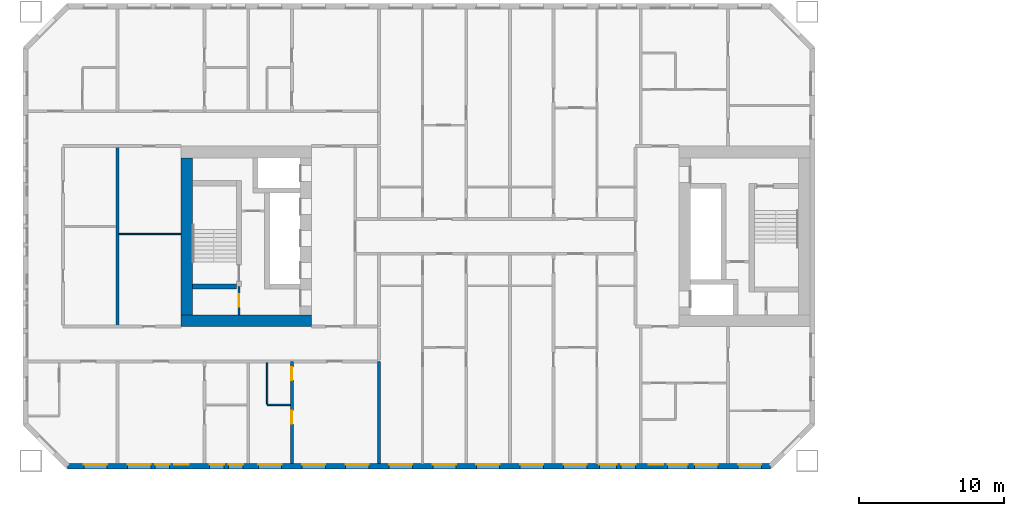
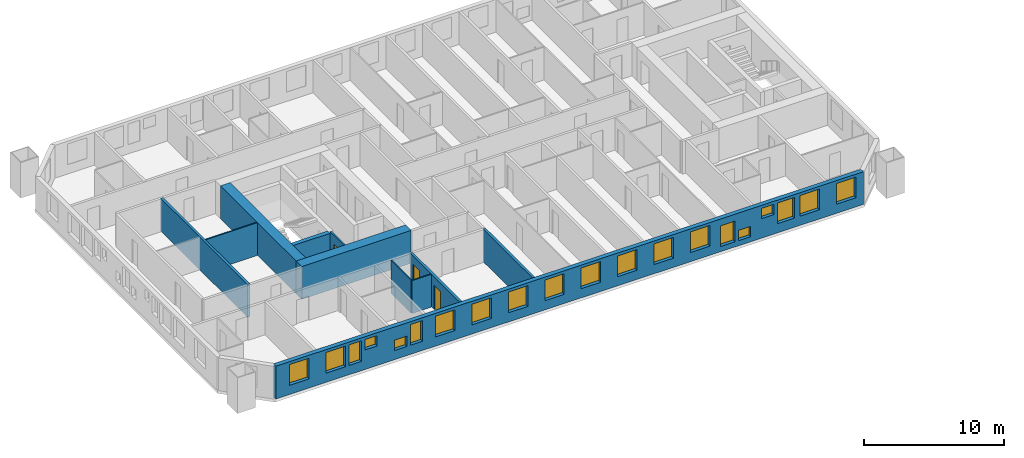
# One storey, part 3 of 17: 20 windows, 11 walls, 3 doors, 23 openings.
"""IFC4 building model written with IfcOpenShell, lengths in metres."""

import ifcopenshell
import ifcopenshell.guid

model = None  # the IFC model being written
_history = None  # IfcOwnerHistory: only IFC2X3 demands one
_inside = {}  # id of a spatial element -> (the spatial element, [elements in it])
_under = {}  # id of a project, library or spatial element -> (it, [spatial elements below it])
_declared = {}  # id of a project -> (the project, [libraries it declares])
_typed = {}  # id of a type object -> (the type object, [elements of that type])
_made_of = {}  # id of a material, layer set ... -> (it, [elements and type objects made of it])


def new_model(schema):
    """Start an empty IFC model of exactly this schema.

    Asked for "IFC4X3", IfcOpenShell would pick the latest addendum, in which some entities
    have other attributes; the version numbers below select the first issue.
    IFC2X3 requires an IfcOwnerHistory on every rooted entity: one is made here for all.
    """
    global model, _history
    if schema == "IFC4X3":
        model = ifcopenshell.file(schema_version=(4, 3, 0, 0))
    else:
        model = ifcopenshell.file(schema=schema)
    _inside.clear()
    _under.clear()
    _declared.clear()
    _typed.clear()
    _made_of.clear()
    _history = None
    if model.schema == "IFC2X3":
        org = make("IfcOrganization", Name="unknown")
        user = make(
            "IfcPersonAndOrganization",
            ThePerson=make("IfcPerson", FamilyName="unknown"),
            TheOrganization=org,
        )
        app = make(
            "IfcApplication",
            ApplicationDeveloper=org,
            Version="unknown",
            ApplicationFullName="unknown",
            ApplicationIdentifier="unknown",
        )
        _history = make(
            "IfcOwnerHistory",
            OwningUser=user,
            OwningApplication=app,
            ChangeAction="ADDED",
            CreationDate=0,
        )
    return model


def make(cls, **values):
    """One entity of the class cls with the attributes given. An attribute that is None is left unset."""
    return model.create_entity(
        cls, **{name: value for name, value in values.items() if value is not None}
    )


def rooted(cls, **values):
    """An entity with a GlobalId (a new one), such as an element, a storey or a relation."""
    return make(cls, GlobalId=ifcopenshell.guid.new(), OwnerHistory=_history, **values)


def si_unit(unit_type, name, prefix=None):
    """IfcSIUnit, for example si_unit("LENGTHUNIT", "METRE", prefix="MILLI")."""
    return make("IfcSIUnit", UnitType=unit_type, Prefix=prefix, Name=name)


def assignment(units):
    """IfcUnitAssignment: the units of a project."""
    return None if units is None else make("IfcUnitAssignment", Units=units)


def point(xyz):
    """IfcCartesianPoint."""
    return None if xyz is None else make("IfcCartesianPoint", Coordinates=xyz)


def direction(xyz):
    """IfcDirection."""
    return None if xyz is None else make("IfcDirection", DirectionRatios=xyz)


def frame(location, z_axis=None, x_axis=None):
    """IfcAxis2Placement3D, a coordinate frame: its origin and axes. An axis left out is left unset."""
    return make(
        "IfcAxis2Placement3D",
        Location=point(location),
        Axis=direction(z_axis),
        RefDirection=direction(x_axis),
    )


def frame_2d(location, x_axis=None):
    """IfcAxis2Placement2D, a coordinate frame in the plane: its origin and x axis."""
    return make(
        "IfcAxis2Placement2D", Location=point(location), RefDirection=direction(x_axis)
    )


def origin():
    """The frame at (0, 0, 0) with its axes left unset."""
    return frame((0.0, 0.0, 0.0))


def place(relative_to, where):
    """IfcLocalPlacement: puts the frame where relative to a parent placement (None: the world)."""
    return make(
        "IfcLocalPlacement", PlacementRelTo=relative_to, RelativePlacement=where
    )


def context(
    kind, dimensions, precision=None, world=None, true_north=None, identifier=None
):
    """IfcGeometricRepresentationContext, for example the 3D "Model" context."""
    return make(
        "IfcGeometricRepresentationContext",
        ContextIdentifier=identifier,
        ContextType=kind,
        CoordinateSpaceDimension=dimensions,
        Precision=precision,
        WorldCoordinateSystem=world,
        TrueNorth=true_north,
    )


def subcontext(parent, identifier, kind, view, scale=None):
    """IfcGeometricRepresentationSubContext, for example "Body" below "Model"."""
    return make(
        "IfcGeometricRepresentationSubContext",
        ContextIdentifier=identifier,
        ContextType=kind,
        ParentContext=parent,
        TargetScale=scale,
        TargetView=view,
    )


def project(units=None, contexts=None):
    """IfcProject with its units and contexts."""
    return rooted(
        "IfcProject",
        Name="project",
        RepresentationContexts=contexts,
        UnitsInContext=assignment(units),
    )


def spatial(cls, under=None, at=None, **own):
    """A site, building, storey or space (cls), placed at a placement, below another one or the project."""
    s = rooted(cls, ObjectPlacement=at, **own)
    if under is not None:
        _under.setdefault(under.id(), (under, []))[1].append(s)
    return s


def profile(cls, at=None, kind="AREA", **sizes):
    """A parametric profile (cls). Its sizes go by their IFC names, for example OverallWidth=200.0."""
    return make(cls, ProfileType=kind, Position=at, **sizes)


def rectangle(**sizes):
    """IfcRectangleProfileDef."""
    return profile("IfcRectangleProfileDef", **sizes)


def extrude(swept, where, along, depth):
    """IfcExtrudedAreaSolid: the profile swept, set in the frame where, extruded along a direction by depth."""
    return make(
        "IfcExtrudedAreaSolid",
        SweptArea=swept,
        Position=where,
        ExtrudedDirection=direction(along),
        Depth=depth,
    )


def shape(context_of_items, identifier, shape_type, items):
    """IfcShapeRepresentation: the items that make up one representation, for example the "Body"."""
    return make(
        "IfcShapeRepresentation",
        ContextOfItems=context_of_items,
        RepresentationIdentifier=identifier,
        RepresentationType=shape_type,
        Items=items,
    )


def material(Name=None, Category=None):
    """IfcMaterial."""
    return make("IfcMaterial", Name=Name, Category=Category)


def layer(
    of_material, thickness, ventilated=None, Name=None, Category=None, Priority=None
):
    """IfcMaterialLayer: one layer of a wall or slab, of a material (None: an air gap)."""
    return make(
        "IfcMaterialLayer",
        Material=of_material,
        LayerThickness=thickness,
        IsVentilated=ventilated,
        Name=Name,
        Category=Category,
        Priority=Priority,
    )


def layer_set(layers, Name=None):
    """IfcMaterialLayerSet."""
    return make("IfcMaterialLayerSet", MaterialLayers=layers, LayerSetName=Name)


def made_of(thing, what):
    """Note that an element or type object is made of a material, layer set ...; save() writes the relation."""
    if what is not None:
        _made_of.setdefault(what.id(), (what, []))[1].append(thing)
    return thing


def type_object(cls, material=None, **own):
    """A type object (cls), such as IfcWallType, which elements share."""
    return made_of(rooted(cls, **own), material)


def element(
    cls,
    number,
    at=None,
    inside=None,
    cuts=None,
    type_object=None,
    material=None,
    context=None,
    identifier="Body",
    shape_type=None,
    held_by="IfcProductDefinitionShape",
    body=None,
    shapes=None,
    **own,
):
    """One element of the class cls, such as IfcWall. Its Tag is "e" and its number.

    at: its placement. inside: the storey or other place that contains it. cuts: it is an
    opening in that element (IfcRelVoidsElement). A single representation is given by context,
    identifier, shape_type and body (its items); several are given by shapes. held_by: the class
    of the entity that holds the representations. save() writes the other relations.
    """
    e = rooted(cls, Tag="e%d" % number, ObjectPlacement=at, **own)
    if body is not None:
        shapes = [shape(context, identifier, shape_type, body)]
    if shapes is not None:
        e.Representation = make(held_by, Representations=shapes)
    if inside is not None:
        _inside.setdefault(inside.id(), (inside, []))[1].append(e)
    if cuts is not None:
        rooted(
            "IfcRelVoidsElement", RelatingBuildingElement=cuts, RelatedOpeningElement=e
        )
    if type_object is not None:
        _typed.setdefault(type_object.id(), (type_object, []))[1].append(e)
    return made_of(e, material)


def fill(opening, filler):
    """IfcRelFillsElement: the door or window that sits in an opening."""
    return rooted(
        "IfcRelFillsElement",
        RelatingOpeningElement=opening,
        RelatedBuildingElement=filler,
    )


def aggregate(whole, parts):
    """IfcRelAggregates: a whole, such as a stair, and the parts it consists of."""
    return rooted("IfcRelAggregates", RelatingObject=whole, RelatedObjects=parts)


def save(model, path):
    """Write the relations noted so far, then the file.

    IfcRelAggregates (storeys below a building ...), IfcRelContainedInSpatialStructure (elements
    in a storey), IfcRelDefinesByType, IfcRelAssociatesMaterial and IfcRelDeclares: one each for
    every whole, place, type object, material and project.
    """
    for whole, parts in _under.values():
        aggregate(whole, parts)
    for where, things in _inside.values():
        rooted(
            "IfcRelContainedInSpatialStructure",
            RelatedElements=things,
            RelatingStructure=where,
        )
    for kind, things in _typed.values():
        rooted("IfcRelDefinesByType", RelatedObjects=things, RelatingType=kind)
    for what, things in _made_of.values():
        rooted("IfcRelAssociatesMaterial", RelatedObjects=things, RelatingMaterial=what)
    for by, libraries in _declared.values():
        rooted("IfcRelDeclares", RelatingContext=by, RelatedDefinitions=libraries)
    model.write(path)


model = new_model("IFC4")

# Units and contexts
model_context = context("Model", 3, precision=1e-05, world=origin(), true_north=direction((0.0, 1.0)))
body_context = subcontext(model_context, "Body", "Model", "MODEL_VIEW")
ifc_project = project(units=[si_unit("LENGTHUNIT", "METRE"), si_unit("AREAUNIT", "SQUARE_METRE"), si_unit("VOLUMEUNIT", "CUBIC_METRE"), si_unit("PLANEANGLEUNIT", "RADIAN"), si_unit("MASSUNIT", "GRAM", prefix="KILO")], contexts=[model_context])

# Site, building, storey
site_placement = place(None, origin())
site = spatial("IfcSite", under=ifc_project, at=site_placement, CompositionType="ELEMENT")
building_placement = place(site_placement, origin())
building = spatial("IfcBuilding", under=site, at=building_placement, Name="Tuart Gate Housing", CompositionType="ELEMENT")
storey_placement = place(building_placement, frame((0.0, 0.0, 50.5)))
storey = spatial("IfcBuildingStorey", under=building, at=storey_placement, Name="L13", CompositionType="ELEMENT", Elevation=50.5)

# Wall, openings, windows
ifc_material_1 = material(Name="Brick", Category="masonry")
ifc_layer_1 = layer(ifc_material_1, 0.360107421875)
ifc_layer_set_1 = layer_set([ifc_layer_1], Name="Brick pier and spandrel wall 360")
wall_type_1 = type_object("IfcWallType", Name="Brick pier and spandrel wall 360", PredefinedType="STANDARD", material=ifc_layer_set_1)
wall_1_placement = place(storey_placement, frame((24.57470703125, 54.179931640625, 0.0), z_axis=(0.0, 0.0, 1.0), x_axis=(1.0, 0.0, 0.0)))
wall_1 = element("IfcWall", 1, at=wall_1_placement, inside=storey, type_object=wall_type_1, Name="External wall A-S L13", PredefinedType="STANDARD", context=body_context, shape_type="SweptSolid", body=[
    extrude(rectangle(XDim=48.350830078125, YDim=0.360107421875, at=frame_2d((24.17529296875, 0.0))), origin(), (0.0, 0.0, 1.0), 2.85009765625),
])
opening_1_placement = place(wall_1_placement, frame((1.12548828125, 0.0, 0.800048828125)))
opening_1 = element("IfcOpeningElement", 2, at=opening_1_placement, cuts=wall_1, Name="Opening W1", PredefinedType="OPENING", context=body_context, shape_type="SweptSolid", body=[
    extrude(rectangle(XDim=1.60009765625, YDim=1.800048828125, at=frame_2d((0.800048828125, 0.89990234375))), frame((0.0, 0.18994140625, 0.0), z_axis=(0.0, -1.0, 0.0), x_axis=(1.0, 0.0, 0.0)), (0.0, 0.0, 1.0), 0.380126953125),
])
opening_2_placement = place(wall_1_placement, frame((4.12548828125, 0.0, 0.800048828125)))
opening_2 = element("IfcOpeningElement", 3, at=opening_2_placement, cuts=wall_1, Name="Opening W1", PredefinedType="OPENING", context=body_context, shape_type="SweptSolid", body=[
    extrude(rectangle(XDim=1.60009765625, YDim=1.800048828125, at=frame_2d((0.800048828125, 0.89990234375))), frame((0.0, 0.18994140625, 0.0), z_axis=(0.0, -1.0, 0.0), x_axis=(1.0, 0.0, 0.0)), (0.0, 0.0, 1.0), 0.380126953125),
])
opening_3_placement = place(wall_1_placement, frame((6.025390625, 0.0, 0.800048828125)))
opening_3 = element("IfcOpeningElement", 4, at=opening_3_placement, cuts=wall_1, Name="Opening W1C", PredefinedType="OPENING", context=body_context, shape_type="SweptSolid", body=[
    extrude(rectangle(XDim=1.0, YDim=1.800048828125, at=frame_2d((0.5, 0.89990234375))), frame((0.0, 0.18994140625, 0.0), z_axis=(0.0, -1.0, 0.0), x_axis=(1.0, 0.0, 0.0)), (0.0, 0.0, 1.0), 0.380126953125),
])
opening_4_placement = place(wall_1_placement, frame((9.775390625, 0.0, 0.800048828125)))
opening_4 = element("IfcOpeningElement", 5, at=opening_4_placement, cuts=wall_1, Name="Opening W1U", PredefinedType="OPENING", context=body_context, shape_type="SweptSolid", body=[
    extrude(rectangle(XDim=1.0, YDim=0.89990234375, at=frame_2d((0.5, 0.449951171875))), frame((0.0, 0.18994140625, 0.0), z_axis=(0.0, -1.0, 0.0), x_axis=(1.0, 0.0, 0.0)), (0.0, 0.0, 1.0), 0.380126953125),
])
opening_5_placement = place(wall_1_placement, frame((13.12548828125, 0.0, 0.800048828125)))
opening_5 = element("IfcOpeningElement", 6, at=opening_5_placement, cuts=wall_1, Name="Opening W1", PredefinedType="OPENING", context=body_context, shape_type="SweptSolid", body=[
    extrude(rectangle(XDim=1.60009765625, YDim=1.800048828125, at=frame_2d((0.800048828125, 0.89990234375))), frame((0.0, 0.18994140625, 0.0), z_axis=(0.0, -1.0, 0.0), x_axis=(1.0, 0.0, 0.0)), (0.0, 0.0, 1.0), 0.380126953125),
])
opening_6_placement = place(wall_1_placement, frame((16.12548828125, 0.0, 0.800048828125)))
opening_6 = element("IfcOpeningElement", 7, at=opening_6_placement, cuts=wall_1, Name="Opening W1", PredefinedType="OPENING", context=body_context, shape_type="SweptSolid", body=[
    extrude(rectangle(XDim=1.60009765625, YDim=1.800048828125, at=frame_2d((0.800048828125, 0.89990234375))), frame((0.0, 0.18994140625, 0.0), z_axis=(0.0, -1.0, 0.0), x_axis=(1.0, 0.0, 0.0)), (0.0, 0.0, 1.0), 0.380126953125),
])
opening_7_placement = place(wall_1_placement, frame((19.12548828125, 0.0, 0.800048828125)))
opening_7 = element("IfcOpeningElement", 8, at=opening_7_placement, cuts=wall_1, Name="Opening W1", PredefinedType="OPENING", context=body_context, shape_type="SweptSolid", body=[
    extrude(rectangle(XDim=1.60009765625, YDim=1.800048828125, at=frame_2d((0.800048828125, 0.89990234375))), frame((0.0, 0.18994140625, 0.0), z_axis=(0.0, -1.0, 0.0), x_axis=(1.0, 0.0, 0.0)), (0.0, 0.0, 1.0), 0.380126953125),
])
opening_8_placement = place(wall_1_placement, frame((22.12548828125, 0.0, 0.800048828125)))
opening_8 = element("IfcOpeningElement", 9, at=opening_8_placement, cuts=wall_1, Name="Opening W1", PredefinedType="OPENING", context=body_context, shape_type="SweptSolid", body=[
    extrude(rectangle(XDim=1.60009765625, YDim=1.800048828125, at=frame_2d((0.800048828125, 0.89990234375))), frame((0.0, 0.18994140625, 0.0), z_axis=(0.0, -1.0, 0.0), x_axis=(1.0, 0.0, 0.0)), (0.0, 0.0, 1.0), 0.380126953125),
])
opening_9_placement = place(wall_1_placement, frame((25.12548828125, 0.0, 0.800048828125)))
opening_9 = element("IfcOpeningElement", 10, at=opening_9_placement, cuts=wall_1, Name="Opening W1", PredefinedType="OPENING", context=body_context, shape_type="SweptSolid", body=[
    extrude(rectangle(XDim=1.60009765625, YDim=1.800048828125, at=frame_2d((0.800048828125, 0.89990234375))), frame((0.0, 0.18994140625, 0.0), z_axis=(0.0, -1.0, 0.0), x_axis=(1.0, 0.0, 0.0)), (0.0, 0.0, 1.0), 0.380126953125),
])
opening_10_placement = place(wall_1_placement, frame((28.12548828125, 0.0, 0.800048828125)))
opening_10 = element("IfcOpeningElement", 11, at=opening_10_placement, cuts=wall_1, Name="Opening W1", PredefinedType="OPENING", context=body_context, shape_type="SweptSolid", body=[
    extrude(rectangle(XDim=1.60009765625, YDim=1.800048828125, at=frame_2d((0.800048828125, 0.89990234375))), frame((0.0, 0.18994140625, 0.0), z_axis=(0.0, -1.0, 0.0), x_axis=(1.0, 0.0, 0.0)), (0.0, 0.0, 1.0), 0.380126953125),
])
opening_11_placement = place(wall_1_placement, frame((31.12548828125, 0.0, 0.800048828125)))
opening_11 = element("IfcOpeningElement", 12, at=opening_11_placement, cuts=wall_1, Name="Opening W1", PredefinedType="OPENING", context=body_context, shape_type="SweptSolid", body=[
    extrude(rectangle(XDim=1.60009765625, YDim=1.800048828125, at=frame_2d((0.800048828125, 0.89990234375))), frame((0.0, 0.18994140625, 0.0), z_axis=(0.0, -1.0, 0.0), x_axis=(1.0, 0.0, 0.0)), (0.0, 0.0, 1.0), 0.380126953125),
])
opening_12_placement = place(wall_1_placement, frame((34.12548828125, 0.0, 0.800048828125)))
opening_12 = element("IfcOpeningElement", 13, at=opening_12_placement, cuts=wall_1, Name="Opening W1", PredefinedType="OPENING", context=body_context, shape_type="SweptSolid", body=[
    extrude(rectangle(XDim=1.60009765625, YDim=1.800048828125, at=frame_2d((0.800048828125, 0.89990234375))), frame((0.0, 0.18994140625, 0.0), z_axis=(0.0, -1.0, 0.0), x_axis=(1.0, 0.0, 0.0)), (0.0, 0.0, 1.0), 0.380126953125),
])
opening_13_placement = place(wall_1_placement, frame((36.575439453125, 0.0, 0.449951171875)))
opening_13 = element("IfcOpeningElement", 14, at=opening_13_placement, cuts=wall_1, Name="Opening W1B", PredefinedType="OPENING", context=body_context, shape_type="SweptSolid", body=[
    extrude(rectangle(XDim=1.199951171875, YDim=1.800048828125, at=frame_2d((0.60009765625, 0.89990234375))), frame((0.0, 0.18994140625, 0.0), z_axis=(0.0, -1.0, 0.0), x_axis=(1.0, 0.0, 0.0)), (0.0, 0.0, 1.0), 0.380126953125),
])
opening_14_placement = place(wall_1_placement, frame((39.975341796875, 0.0, 1.699951171875)))
opening_14 = element("IfcOpeningElement", 15, at=opening_14_placement, cuts=wall_1, Name="Opening W1U", PredefinedType="OPENING", context=body_context, shape_type="SweptSolid", body=[
    extrude(rectangle(XDim=1.0, YDim=0.89990234375, at=frame_2d((0.5, 0.449951171875))), frame((0.0, 0.18994140625, 0.0), z_axis=(0.0, -1.0, 0.0), x_axis=(1.0, 0.0, 0.0)), (0.0, 0.0, 1.0), 0.380126953125),
])
opening_15_placement = place(wall_1_placement, frame((43.12548828125, 0.0, 0.800048828125)))
opening_15 = element("IfcOpeningElement", 16, at=opening_15_placement, cuts=wall_1, Name="Opening W1", PredefinedType="OPENING", context=body_context, shape_type="SweptSolid", body=[
    extrude(rectangle(XDim=1.60009765625, YDim=1.800048828125, at=frame_2d((0.800048828125, 0.89990234375))), frame((0.0, 0.18994140625, 0.0), z_axis=(0.0, -1.0, 0.0), x_axis=(1.0, 0.0, 0.0)), (0.0, 0.0, 1.0), 0.380126953125),
])
opening_16_placement = place(wall_1_placement, frame((46.12548828125, 0.0, 0.800048828125)))
opening_16 = element("IfcOpeningElement", 17, at=opening_16_placement, cuts=wall_1, Name="Opening W1", PredefinedType="OPENING", context=body_context, shape_type="SweptSolid", body=[
    extrude(rectangle(XDim=1.60009765625, YDim=1.800048828125, at=frame_2d((0.800048828125, 0.89990234375))), frame((0.0, 0.18994140625, 0.0), z_axis=(0.0, -1.0, 0.0), x_axis=(1.0, 0.0, 0.0)), (0.0, 0.0, 1.0), 0.380126953125),
])
opening_17_placement = place(wall_1_placement, frame((7.325439453125, 0.0, 1.699951171875)))
opening_17 = element("IfcOpeningElement", 18, at=opening_17_placement, cuts=wall_1, Name="Opening W1U", PredefinedType="OPENING", context=body_context, shape_type="SweptSolid", body=[
    extrude(rectangle(XDim=1.0, YDim=0.89990234375, at=frame_2d((0.5, 0.449951171875))), frame((0.0, 0.18994140625, 0.0), z_axis=(0.0, -1.0, 0.0), x_axis=(1.0, 0.0, 0.0)), (0.0, 0.0, 1.0), 0.380126953125),
])
opening_18_placement = place(wall_1_placement, frame((11.075439453125, 0.0, 0.800048828125)))
opening_18 = element("IfcOpeningElement", 19, at=opening_18_placement, cuts=wall_1, Name="Opening W1C", PredefinedType="OPENING", context=body_context, shape_type="SweptSolid", body=[
    extrude(rectangle(XDim=1.0, YDim=1.800048828125, at=frame_2d((0.5, 0.89990234375))), frame((0.0, 0.18994140625, 0.0), z_axis=(0.0, -1.0, 0.0), x_axis=(1.0, 0.0, 0.0)), (0.0, 0.0, 1.0), 0.380126953125),
])
opening_19_placement = place(wall_1_placement, frame((38.075439453125, 0.0, 0.449951171875)))
opening_19 = element("IfcOpeningElement", 20, at=opening_19_placement, cuts=wall_1, Name="Opening W1U", PredefinedType="OPENING", context=body_context, shape_type="SweptSolid", body=[
    extrude(rectangle(XDim=1.0, YDim=0.89990234375, at=frame_2d((0.5, 0.449951171875))), frame((0.0, 0.18994140625, 0.0), z_axis=(0.0, -1.0, 0.0), x_axis=(1.0, 0.0, 0.0)), (0.0, 0.0, 1.0), 0.380126953125),
])
opening_20_placement = place(wall_1_placement, frame((41.275390625, 0.0, 0.800048828125)))
opening_20 = element("IfcOpeningElement", 21, at=opening_20_placement, cuts=wall_1, Name="Opening W1A", PredefinedType="OPENING", context=body_context, shape_type="SweptSolid", body=[
    extrude(rectangle(XDim=1.39990234375, YDim=1.800048828125, at=frame_2d((0.699951171875, 0.89990234375))), frame((0.0, 0.18994140625, 0.0), z_axis=(0.0, -1.0, 0.0), x_axis=(1.0, 0.0, 0.0)), (0.0, 0.0, 1.0), 0.380126953125),
])
ifc_material_2 = material(Name="Aluminium frame with clear glass", Category="aluminium")
window_type_1 = type_object("IfcWindowType", Name="Punched window 1000 x 1800", PartitioningType="SINGLE_PANEL", PredefinedType="WINDOW", material=ifc_material_2)
window_1_placement = place(opening_3_placement, origin())
window_1 = element("IfcWindow", 22, at=window_1_placement, inside=storey, type_object=window_type_1, Name="Window W1C", OverallHeight=1.800048828125, OverallWidth=1.0, PartitioningType="SINGLE_PANEL", PredefinedType="WINDOW", context=body_context, shape_type="SweptSolid", body=[
    extrude(rectangle(XDim=1.0, YDim=1.800048828125, at=frame_2d((0.5, 0.89990234375))), frame((0.0, 0.150146484375, 0.0), z_axis=(0.0, -1.0, 0.0), x_axis=(1.0, 0.0, 0.0)), (0.0, 0.0, 1.0), 0.06005859375),
])
fill(opening_3, window_1)
window_2_placement = place(opening_18_placement, origin())
window_2 = element("IfcWindow", 23, at=window_2_placement, inside=storey, type_object=window_type_1, Name="Window W1C", OverallHeight=1.800048828125, OverallWidth=1.0, PartitioningType="SINGLE_PANEL", PredefinedType="WINDOW", context=body_context, shape_type="SweptSolid", body=[
    extrude(rectangle(XDim=1.0, YDim=1.800048828125, at=frame_2d((0.5, 0.89990234375))), frame((0.0, 0.150146484375, 0.0), z_axis=(0.0, -1.0, 0.0), x_axis=(1.0, 0.0, 0.0)), (0.0, 0.0, 1.0), 0.06005859375),
])
fill(opening_18, window_2)
ifc_material_3 = material(Name="Aluminium frame with clear glass", Category="aluminium")
window_type_2 = type_object("IfcWindowType", Name="Punched window 1000 x 900", PartitioningType="SINGLE_PANEL", PredefinedType="WINDOW", material=ifc_material_3)
window_3_placement = place(opening_4_placement, origin())
window_3 = element("IfcWindow", 24, at=window_3_placement, inside=storey, type_object=window_type_2, Name="Window W1U", OverallHeight=0.89990234375, OverallWidth=1.0, PartitioningType="SINGLE_PANEL", PredefinedType="WINDOW", context=body_context, shape_type="SweptSolid", body=[
    extrude(rectangle(XDim=1.0, YDim=0.89990234375, at=frame_2d((0.5, 0.449951171875))), frame((0.0, 0.150146484375, 0.0), z_axis=(0.0, -1.0, 0.0), x_axis=(1.0, 0.0, 0.0)), (0.0, 0.0, 1.0), 0.06005859375),
])
fill(opening_4, window_3)
window_4_placement = place(opening_14_placement, origin())
window_4 = element("IfcWindow", 25, at=window_4_placement, inside=storey, type_object=window_type_2, Name="Window W1U", OverallHeight=0.89990234375, OverallWidth=1.0, PartitioningType="SINGLE_PANEL", PredefinedType="WINDOW", context=body_context, shape_type="SweptSolid", body=[
    extrude(rectangle(XDim=1.0, YDim=0.89990234375, at=frame_2d((0.5, 0.449951171875))), frame((0.0, 0.150146484375, 0.0), z_axis=(0.0, -1.0, 0.0), x_axis=(1.0, 0.0, 0.0)), (0.0, 0.0, 1.0), 0.06005859375),
])
fill(opening_14, window_4)
window_5_placement = place(opening_17_placement, origin())
window_5 = element("IfcWindow", 26, at=window_5_placement, inside=storey, type_object=window_type_2, Name="Window W1U", OverallHeight=0.89990234375, OverallWidth=1.0, PartitioningType="SINGLE_PANEL", PredefinedType="WINDOW", context=body_context, shape_type="SweptSolid", body=[
    extrude(rectangle(XDim=1.0, YDim=0.89990234375, at=frame_2d((0.5, 0.449951171875))), frame((0.0, 0.150146484375, 0.0), z_axis=(0.0, -1.0, 0.0), x_axis=(1.0, 0.0, 0.0)), (0.0, 0.0, 1.0), 0.06005859375),
])
fill(opening_17, window_5)
window_6_placement = place(opening_19_placement, origin())
window_6 = element("IfcWindow", 27, at=window_6_placement, inside=storey, type_object=window_type_2, Name="Window W1U", OverallHeight=0.89990234375, OverallWidth=1.0, PartitioningType="SINGLE_PANEL", PredefinedType="WINDOW", context=body_context, shape_type="SweptSolid", body=[
    extrude(rectangle(XDim=1.0, YDim=0.89990234375, at=frame_2d((0.5, 0.449951171875))), frame((0.0, 0.150146484375, 0.0), z_axis=(0.0, -1.0, 0.0), x_axis=(1.0, 0.0, 0.0)), (0.0, 0.0, 1.0), 0.06005859375),
])
fill(opening_19, window_6)
ifc_material_4 = material(Name="Aluminium frame with clear glass", Category="aluminium")
window_type_3 = type_object("IfcWindowType", Name="Punched window 1200 x 1800", PartitioningType="SINGLE_PANEL", PredefinedType="WINDOW", material=ifc_material_4)
window_7_placement = place(opening_13_placement, origin())
window_7 = element("IfcWindow", 28, at=window_7_placement, inside=storey, type_object=window_type_3, Name="Window W1B", OverallHeight=1.800048828125, OverallWidth=1.199951171875, PartitioningType="SINGLE_PANEL", PredefinedType="WINDOW", context=body_context, shape_type="SweptSolid", body=[
    extrude(rectangle(XDim=1.199951171875, YDim=1.800048828125, at=frame_2d((0.60009765625, 0.89990234375))), frame((0.0, 0.150146484375, 0.0), z_axis=(0.0, -1.0, 0.0), x_axis=(1.0, 0.0, 0.0)), (0.0, 0.0, 1.0), 0.06005859375),
])
fill(opening_13, window_7)
ifc_material_5 = material(Name="Aluminium frame with clear glass", Category="aluminium")
window_type_4 = type_object("IfcWindowType", Name="Punched window 1400 x 1800", PartitioningType="SINGLE_PANEL", PredefinedType="WINDOW", material=ifc_material_5)
window_8_placement = place(opening_20_placement, origin())
window_8 = element("IfcWindow", 29, at=window_8_placement, inside=storey, type_object=window_type_4, Name="Window W1A", OverallHeight=1.800048828125, OverallWidth=1.39990234375, PartitioningType="SINGLE_PANEL", PredefinedType="WINDOW", context=body_context, shape_type="SweptSolid", body=[
    extrude(rectangle(XDim=1.39990234375, YDim=1.800048828125, at=frame_2d((0.699951171875, 0.89990234375))), frame((0.0, 0.150146484375, 0.0), z_axis=(0.0, -1.0, 0.0), x_axis=(1.0, 0.0, 0.0)), (0.0, 0.0, 1.0), 0.06005859375),
])
fill(opening_20, window_8)
ifc_material_6 = material(Name="Aluminium frame with clear glass", Category="aluminium")
window_type_5 = type_object("IfcWindowType", Name="Punched window 1600 x 1800", PartitioningType="SINGLE_PANEL", PredefinedType="WINDOW", material=ifc_material_6)
window_9_placement = place(opening_1_placement, origin())
window_9 = element("IfcWindow", 30, at=window_9_placement, inside=storey, type_object=window_type_5, Name="Window W1", OverallHeight=1.800048828125, OverallWidth=1.60009765625, PartitioningType="SINGLE_PANEL", PredefinedType="WINDOW", context=body_context, shape_type="SweptSolid", body=[
    extrude(rectangle(XDim=1.60009765625, YDim=1.800048828125, at=frame_2d((0.800048828125, 0.89990234375))), frame((0.0, 0.150146484375, 0.0), z_axis=(0.0, -1.0, 0.0), x_axis=(1.0, 0.0, 0.0)), (0.0, 0.0, 1.0), 0.06005859375),
])
fill(opening_1, window_9)
window_10_placement = place(opening_2_placement, origin())
window_10 = element("IfcWindow", 31, at=window_10_placement, inside=storey, type_object=window_type_5, Name="Window W1", OverallHeight=1.800048828125, OverallWidth=1.60009765625, PartitioningType="SINGLE_PANEL", PredefinedType="WINDOW", context=body_context, shape_type="SweptSolid", body=[
    extrude(rectangle(XDim=1.60009765625, YDim=1.800048828125, at=frame_2d((0.800048828125, 0.89990234375))), frame((0.0, 0.150146484375, 0.0), z_axis=(0.0, -1.0, 0.0), x_axis=(1.0, 0.0, 0.0)), (0.0, 0.0, 1.0), 0.06005859375),
])
fill(opening_2, window_10)
window_11_placement = place(opening_5_placement, origin())
window_11 = element("IfcWindow", 32, at=window_11_placement, inside=storey, type_object=window_type_5, Name="Window W1", OverallHeight=1.800048828125, OverallWidth=1.60009765625, PartitioningType="SINGLE_PANEL", PredefinedType="WINDOW", context=body_context, shape_type="SweptSolid", body=[
    extrude(rectangle(XDim=1.60009765625, YDim=1.800048828125, at=frame_2d((0.800048828125, 0.89990234375))), frame((0.0, 0.150146484375, 0.0), z_axis=(0.0, -1.0, 0.0), x_axis=(1.0, 0.0, 0.0)), (0.0, 0.0, 1.0), 0.06005859375),
])
fill(opening_5, window_11)
window_12_placement = place(opening_6_placement, origin())
window_12 = element("IfcWindow", 33, at=window_12_placement, inside=storey, type_object=window_type_5, Name="Window W1", OverallHeight=1.800048828125, OverallWidth=1.60009765625, PartitioningType="SINGLE_PANEL", PredefinedType="WINDOW", context=body_context, shape_type="SweptSolid", body=[
    extrude(rectangle(XDim=1.60009765625, YDim=1.800048828125, at=frame_2d((0.800048828125, 0.89990234375))), frame((0.0, 0.150146484375, 0.0), z_axis=(0.0, -1.0, 0.0), x_axis=(1.0, 0.0, 0.0)), (0.0, 0.0, 1.0), 0.06005859375),
])
fill(opening_6, window_12)
window_13_placement = place(opening_7_placement, origin())
window_13 = element("IfcWindow", 34, at=window_13_placement, inside=storey, type_object=window_type_5, Name="Window W1", OverallHeight=1.800048828125, OverallWidth=1.60009765625, PartitioningType="SINGLE_PANEL", PredefinedType="WINDOW", context=body_context, shape_type="SweptSolid", body=[
    extrude(rectangle(XDim=1.60009765625, YDim=1.800048828125, at=frame_2d((0.800048828125, 0.89990234375))), frame((0.0, 0.150146484375, 0.0), z_axis=(0.0, -1.0, 0.0), x_axis=(1.0, 0.0, 0.0)), (0.0, 0.0, 1.0), 0.06005859375),
])
fill(opening_7, window_13)
window_14_placement = place(opening_8_placement, origin())
window_14 = element("IfcWindow", 35, at=window_14_placement, inside=storey, type_object=window_type_5, Name="Window W1", OverallHeight=1.800048828125, OverallWidth=1.60009765625, PartitioningType="SINGLE_PANEL", PredefinedType="WINDOW", context=body_context, shape_type="SweptSolid", body=[
    extrude(rectangle(XDim=1.60009765625, YDim=1.800048828125, at=frame_2d((0.800048828125, 0.89990234375))), frame((0.0, 0.150146484375, 0.0), z_axis=(0.0, -1.0, 0.0), x_axis=(1.0, 0.0, 0.0)), (0.0, 0.0, 1.0), 0.06005859375),
])
fill(opening_8, window_14)
window_15_placement = place(opening_9_placement, origin())
window_15 = element("IfcWindow", 36, at=window_15_placement, inside=storey, type_object=window_type_5, Name="Window W1", OverallHeight=1.800048828125, OverallWidth=1.60009765625, PartitioningType="SINGLE_PANEL", PredefinedType="WINDOW", context=body_context, shape_type="SweptSolid", body=[
    extrude(rectangle(XDim=1.60009765625, YDim=1.800048828125, at=frame_2d((0.800048828125, 0.89990234375))), frame((0.0, 0.150146484375, 0.0), z_axis=(0.0, -1.0, 0.0), x_axis=(1.0, 0.0, 0.0)), (0.0, 0.0, 1.0), 0.06005859375),
])
fill(opening_9, window_15)
window_16_placement = place(opening_10_placement, origin())
window_16 = element("IfcWindow", 37, at=window_16_placement, inside=storey, type_object=window_type_5, Name="Window W1", OverallHeight=1.800048828125, OverallWidth=1.60009765625, PartitioningType="SINGLE_PANEL", PredefinedType="WINDOW", context=body_context, shape_type="SweptSolid", body=[
    extrude(rectangle(XDim=1.60009765625, YDim=1.800048828125, at=frame_2d((0.800048828125, 0.89990234375))), frame((0.0, 0.150146484375, 0.0), z_axis=(0.0, -1.0, 0.0), x_axis=(1.0, 0.0, 0.0)), (0.0, 0.0, 1.0), 0.06005859375),
])
fill(opening_10, window_16)
window_17_placement = place(opening_11_placement, origin())
window_17 = element("IfcWindow", 38, at=window_17_placement, inside=storey, type_object=window_type_5, Name="Window W1", OverallHeight=1.800048828125, OverallWidth=1.60009765625, PartitioningType="SINGLE_PANEL", PredefinedType="WINDOW", context=body_context, shape_type="SweptSolid", body=[
    extrude(rectangle(XDim=1.60009765625, YDim=1.800048828125, at=frame_2d((0.800048828125, 0.89990234375))), frame((0.0, 0.150146484375, 0.0), z_axis=(0.0, -1.0, 0.0), x_axis=(1.0, 0.0, 0.0)), (0.0, 0.0, 1.0), 0.06005859375),
])
fill(opening_11, window_17)
window_18_placement = place(opening_12_placement, origin())
window_18 = element("IfcWindow", 39, at=window_18_placement, inside=storey, type_object=window_type_5, Name="Window W1", OverallHeight=1.800048828125, OverallWidth=1.60009765625, PartitioningType="SINGLE_PANEL", PredefinedType="WINDOW", context=body_context, shape_type="SweptSolid", body=[
    extrude(rectangle(XDim=1.60009765625, YDim=1.800048828125, at=frame_2d((0.800048828125, 0.89990234375))), frame((0.0, 0.150146484375, 0.0), z_axis=(0.0, -1.0, 0.0), x_axis=(1.0, 0.0, 0.0)), (0.0, 0.0, 1.0), 0.06005859375),
])
fill(opening_12, window_18)
window_19_placement = place(opening_15_placement, origin())
window_19 = element("IfcWindow", 40, at=window_19_placement, inside=storey, type_object=window_type_5, Name="Window W1", OverallHeight=1.800048828125, OverallWidth=1.60009765625, PartitioningType="SINGLE_PANEL", PredefinedType="WINDOW", context=body_context, shape_type="SweptSolid", body=[
    extrude(rectangle(XDim=1.60009765625, YDim=1.800048828125, at=frame_2d((0.800048828125, 0.89990234375))), frame((0.0, 0.150146484375, 0.0), z_axis=(0.0, -1.0, 0.0), x_axis=(1.0, 0.0, 0.0)), (0.0, 0.0, 1.0), 0.06005859375),
])
fill(opening_15, window_19)
window_20_placement = place(opening_16_placement, origin())
window_20 = element("IfcWindow", 41, at=window_20_placement, inside=storey, type_object=window_type_5, Name="Window W1", OverallHeight=1.800048828125, OverallWidth=1.60009765625, PartitioningType="SINGLE_PANEL", PredefinedType="WINDOW", context=body_context, shape_type="SweptSolid", body=[
    extrude(rectangle(XDim=1.60009765625, YDim=1.800048828125, at=frame_2d((0.800048828125, 0.89990234375))), frame((0.0, 0.150146484375, 0.0), z_axis=(0.0, -1.0, 0.0), x_axis=(1.0, 0.0, 0.0)), (0.0, 0.0, 1.0), 0.06005859375),
])
fill(opening_16, window_20)

# Wall, opening, door
ifc_material_7 = material(Name="Plasterboard partition")
ifc_layer_2 = layer(ifc_material_7, 0.14990234375)
ifc_layer_set_2 = layer_set([ifc_layer_2], Name="Core partition 150")
wall_type_2 = type_object("IfcWallType", Name="Core partition 150", PredefinedType="PARTITIONING", material=ifc_layer_set_2)
wall_2_placement = place(storey_placement, frame((36.360107421875, 66.550048828125, 0.0), z_axis=(0.0, 0.0, 1.0), x_axis=(0.0, -1.0, 0.0)))
wall_2 = element("IfcWall", 42, at=wall_2_placement, inside=storey, type_object=wall_type_2, Name="Core partition AK.9", PredefinedType="PARTITIONING", context=body_context, shape_type="SweptSolid", body=[
    extrude(rectangle(XDim=1.949951171875, YDim=0.14990234375, at=frame_2d((0.97509765625, 0.0))), origin(), (0.0, 0.0, 1.0), 2.85009765625),
])
opening_21_placement = place(wall_2_placement, frame((0.550048828125, 0.0, 0.0)))
opening_21 = element("IfcOpeningElement", 43, at=opening_21_placement, cuts=wall_2, Name="Opening D629", PredefinedType="OPENING", context=body_context, shape_type="SweptSolid", body=[
    extrude(rectangle(XDim=0.85009765625, YDim=2.10009765625, at=frame_2d((0.425048828125, 1.050048828125))), frame((0.0, 0.0849609375, 0.0), z_axis=(0.0, -1.0, 0.0), x_axis=(1.0, 0.0, 0.0)), (0.0, 0.0, 1.0), 0.169921875),
])
ifc_material_8 = material(Name="Steel fire door", Category="steel")
door_type_1 = type_object("IfcDoorType", Name="Service door 850 x 2100 RH", OperationType="SINGLE_SWING_RIGHT", PredefinedType="DOOR", material=ifc_material_8)
door_1_placement = place(opening_21_placement, frame((0.85009765625, 0.0, 0.0), z_axis=(0.0, 0.0, 1.0), x_axis=(-1.0, 0.0, 0.0)))
door_1 = element("IfcDoor", 44, at=door_1_placement, inside=storey, type_object=door_type_1, Name="Service room door AK.ST", OperationType="SINGLE_SWING_RIGHT", OverallHeight=2.10009765625, OverallWidth=0.85009765625, PredefinedType="DOOR", context=body_context, shape_type="SweptSolid", body=[
    extrude(rectangle(XDim=0.85009765625, YDim=2.10009765625, at=frame_2d((0.425048828125, 1.050048828125))), frame((0.0, 0.025146484375, 0.0), z_axis=(0.0, -1.0, 0.0), x_axis=(1.0, 0.0, 0.0)), (0.0, 0.0, 1.0), 0.050048828125),
])
fill(opening_21, door_1)

# Walls
ifc_material_9 = material(Name="Concrete C60", Category="concrete")
ifc_layer_3 = layer(ifc_material_9, 0.35009765625)
ifc_layer_set_3 = layer_set([ifc_layer_3], Name="Core wall 350 C60")
wall_type_3 = type_object("IfcWallType", Name="Core wall 350 C60", PredefinedType="SHEAR", material=ifc_layer_set_3)
wall_3_placement = place(storey_placement, frame((36.18505859375, 66.550048828125, 0.0), z_axis=(0.0, 0.0, 1.0), x_axis=(-1.0, 0.0, 0.0)))
element("IfcWall", 45, at=wall_3_placement, inside=storey, type_object=wall_type_3, Name="Core wall AK.5", PredefinedType="SHEAR", context=body_context, shape_type="SweptSolid", body=[
    extrude(rectangle(XDim=3.025146484375, YDim=0.35009765625, at=frame_2d((1.5126953125, 0.0))), origin(), (0.0, 0.0, 1.0), 2.85009765625),
])
ifc_material_10 = material(Name="Concrete C60", Category="concrete")
ifc_layer_4 = layer(ifc_material_10, 0.800048828125)
ifc_layer_set_4 = layer_set([ifc_layer_4], Name="Core wall 800 C60")
wall_type_4 = type_object("IfcWallType", Name="Core wall 800 C60", PredefinedType="SHEAR", material=ifc_layer_set_4)
wall_4_placement = place(storey_placement, frame((32.760009765625, 75.39990234375, 0.0), z_axis=(0.0, 0.0, 1.0), x_axis=(0.0, -1.0, 0.0)))
element("IfcWall", 46, at=wall_4_placement, inside=storey, type_object=wall_type_4, Name="Core wall AK back", PredefinedType="SHEAR", context=body_context, shape_type="SweptSolid", body=[
    extrude(rectangle(XDim=10.7998046875, YDim=0.800048828125, at=frame_2d((5.39990234375, 0.0))), origin(), (0.0, 0.0, 1.0), 2.85009765625),
])
wall_5_placement = place(storey_placement, frame((41.360107421875, 64.199951171875, 0.0), z_axis=(0.0, 0.0, 1.0), x_axis=(-1.0, 0.0, 0.0)))
element("IfcWall", 47, at=wall_5_placement, inside=storey, type_object=wall_type_4, Name="Core wall AK north", PredefinedType="SHEAR", context=body_context, shape_type="SweptSolid", body=[
    extrude(rectangle(XDim=9.0, YDim=0.800048828125, at=frame_2d((4.5, 0.0))), origin(), (0.0, 0.0, 1.0), 2.85009765625),
])
ifc_material_11 = material(Name="Gypsum board on steel studs", Category="steel")
ifc_layer_5 = layer(ifc_material_11, 0.10009765625)
ifc_layer_set_5 = layer_set([ifc_layer_5], Name="Partition 100")
wall_type_5 = type_object("IfcWallType", Name="Partition 100", PredefinedType="PARTITIONING", material=ifc_layer_set_5)
wall_6_placement = place(storey_placement, frame((38.300048828125, 58.39990234375, 0.0), z_axis=(0.0, 0.0, 1.0), x_axis=(1.0, 0.0, 0.0)))
element("IfcWall", 48, at=wall_6_placement, inside=storey, type_object=wall_type_5, Name="Partition 100", PredefinedType="PARTITIONING", context=body_context, shape_type="SweptSolid", body=[
    extrude(rectangle(XDim=1.599853515625, YDim=0.10009765625, at=frame_2d((0.7998046875, 0.0))), origin(), (0.0, 0.0, 1.0), 2.85009765625),
])
wall_7_placement = place(storey_placement, frame((28.10009765625, 70.159912109375, 0.0), z_axis=(0.0, 0.0, 1.0), x_axis=(1.0, 0.0, 0.0)))
element("IfcWall", 49, at=wall_7_placement, inside=storey, type_object=wall_type_5, Name="Partition 100", PredefinedType="PARTITIONING", context=body_context, shape_type="SweptSolid", body=[
    extrude(rectangle(XDim=4.260009765625, YDim=0.10009765625, at=frame_2d((2.1298828125, 0.0))), origin(), (0.0, 0.0, 1.0), 2.85009765625),
])
wall_8_placement = place(storey_placement, frame((38.300048828125, 58.449951171875, 0.0), z_axis=(0.0, 0.0, 1.0), x_axis=(0.0, 1.0, 0.0)))
element("IfcWall", 50, at=wall_8_placement, inside=storey, type_object=wall_type_5, Name="Partition 100", PredefinedType="PARTITIONING", context=body_context, shape_type="SweptSolid", body=[
    extrude(rectangle(XDim=2.85009765625, YDim=0.10009765625, at=frame_2d((1.425048828125, 0.0))), origin(), (0.0, 0.0, 1.0), 2.85009765625),
])
ifc_material_12 = material(Name="Concrete C40", Category="concrete")
ifc_layer_6 = layer(ifc_material_12, 0.199951171875)
ifc_layer_set_6 = layer_set([ifc_layer_6], Name="Party wall concrete C40 200")
wall_type_6 = type_object("IfcWallType", Name="Party wall concrete C40 200", PredefinedType="SOLIDWALL", material=ifc_layer_set_6)
wall_9_placement = place(storey_placement, frame((28.0, 63.800048828125, 0.0), z_axis=(0.0, 0.0, 1.0), x_axis=(0.0, 1.0, 0.0)))
element("IfcWall", 51, at=wall_9_placement, inside=storey, type_object=wall_type_6, Name="Party wall concrete C40 200", PredefinedType="SOLIDWALL", context=body_context, shape_type="SweptSolid", body=[
    extrude(rectangle(XDim=12.39990234375, YDim=0.199951171875, at=frame_2d((6.199951171875, 0.0))), origin(), (0.0, 0.0, 1.0), 2.85009765625),
])

# Wall, openings, doors
wall_10_placement = place(storey_placement, frame((40.0, 54.360107421875, 0.0), z_axis=(0.0, 0.0, 1.0), x_axis=(0.0, 1.0, 0.0)))
wall_10 = element("IfcWall", 52, at=wall_10_placement, inside=storey, type_object=wall_type_6, Name="Party wall concrete C40 200", PredefinedType="SOLIDWALL", context=body_context, shape_type="SweptSolid", body=[
    extrude(rectangle(XDim=7.039794921875, YDim=0.199951171875, at=frame_2d((3.52001953125, 0.0))), origin(), (0.0, 0.0, 1.0), 2.85009765625),
])
opening_22_placement = place(wall_10_placement, frame((2.739990234375, 0.0, 0.0)))
opening_22 = element("IfcOpeningElement", 53, at=opening_22_placement, cuts=wall_10, Name="Opening D655", PredefinedType="OPENING", context=body_context, shape_type="SweptSolid", body=[
    extrude(rectangle(XDim=0.89990234375, YDim=2.10009765625, at=frame_2d((0.449951171875, 1.050048828125))), frame((0.0, 0.10986328125, 0.0), z_axis=(0.0, -1.0, 0.0), x_axis=(1.0, 0.0, 0.0)), (0.0, 0.0, 1.0), 0.219970703125),
])
opening_23_placement = place(wall_10_placement, frame((5.739990234375, 0.0, 0.0)))
opening_23 = element("IfcOpeningElement", 54, at=opening_23_placement, cuts=wall_10, Name="Opening D654", PredefinedType="OPENING", context=body_context, shape_type="SweptSolid", body=[
    extrude(rectangle(XDim=0.89990234375, YDim=2.10009765625, at=frame_2d((0.449951171875, 1.050048828125))), frame((0.0, 0.10986328125, 0.0), z_axis=(0.0, -1.0, 0.0), x_axis=(1.0, 0.0, 0.0)), (0.0, 0.0, 1.0), 0.219970703125),
])
ifc_material_13 = material(Name="Timber door leaf in steel frame", Category="steel")
door_type_2 = type_object("IfcDoorType", Name="Bathroom door 900 RH", OperationType="SINGLE_SWING_RIGHT", PredefinedType="DOOR", material=ifc_material_13)
door_2_placement = place(opening_23_placement, origin())
door_2 = element("IfcDoor", 55, at=door_2_placement, inside=storey, type_object=door_type_2, Name="Bathroom door", OperationType="SINGLE_SWING_RIGHT", OverallHeight=2.10009765625, OverallWidth=0.89990234375, PredefinedType="DOOR", context=body_context, shape_type="SweptSolid", body=[
    extrude(rectangle(XDim=0.89990234375, YDim=2.10009765625, at=frame_2d((0.449951171875, 1.050048828125))), frame((0.0, 0.02490234375, 0.0), z_axis=(0.0, -1.0, 0.0), x_axis=(1.0, 0.0, 0.0)), (0.0, 0.0, 1.0), 0.050048828125),
])
fill(opening_23, door_2)
ifc_material_14 = material(Name="Timber door leaf in steel frame", Category="steel")
door_type_3 = type_object("IfcDoorType", Name="Internal door 900 RH", OperationType="SINGLE_SWING_RIGHT", PredefinedType="DOOR", material=ifc_material_14)
door_3_placement = place(opening_22_placement, origin())
door_3 = element("IfcDoor", 56, at=door_3_placement, inside=storey, type_object=door_type_3, Name="Internal door", OperationType="SINGLE_SWING_RIGHT", OverallHeight=2.10009765625, OverallWidth=0.89990234375, PredefinedType="DOOR", context=body_context, shape_type="SweptSolid", body=[
    extrude(rectangle(XDim=0.89990234375, YDim=2.10009765625, at=frame_2d((0.449951171875, 1.050048828125))), frame((0.0, 0.02490234375, 0.0), z_axis=(0.0, -1.0, 0.0), x_axis=(1.0, 0.0, 0.0)), (0.0, 0.0, 1.0), 0.050048828125),
])
fill(opening_22, door_3)

# Wall
wall_11_placement = place(storey_placement, frame((46.0, 54.360107421875, 0.0), z_axis=(0.0, 0.0, 1.0), x_axis=(0.0, 1.0, 0.0)))
element("IfcWall", 57, at=wall_11_placement, inside=storey, type_object=wall_type_6, Name="Party wall concrete C40 200", PredefinedType="SOLIDWALL", context=body_context, shape_type="SweptSolid", body=[
    extrude(rectangle(XDim=7.039794921875, YDim=0.199951171875, at=frame_2d((3.52001953125, 0.0))), origin(), (0.0, 0.0, 1.0), 2.85009765625),
])

save(model, "model.ifc")
